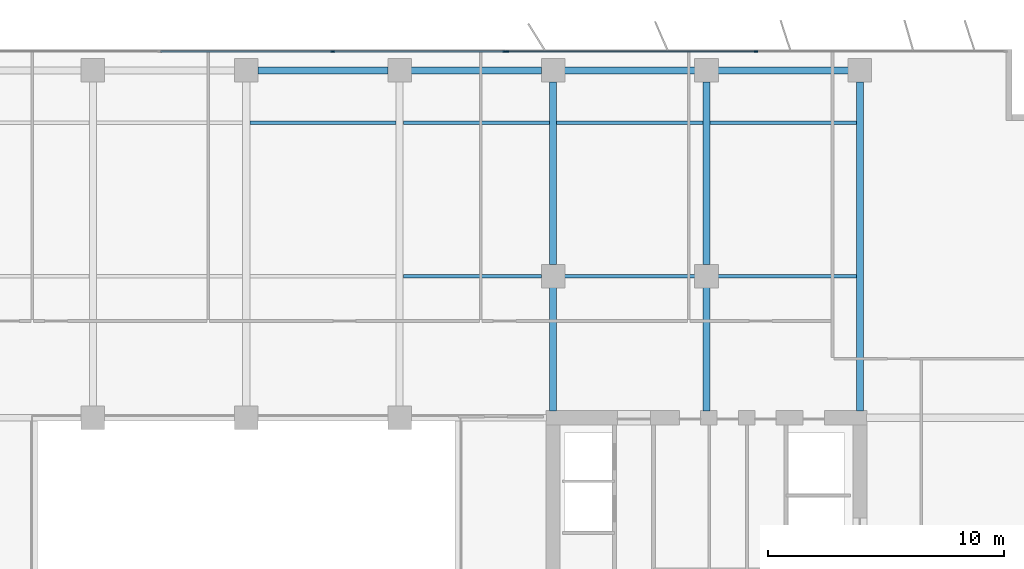
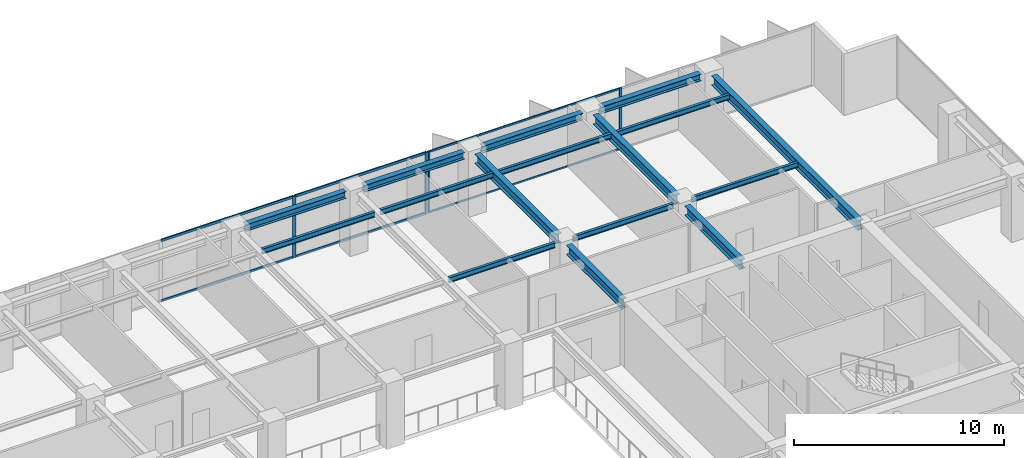
# One storey, part 10 of 22: 16 beams, 10 members, 2 elements without a shape of their own.
"""IFC4 building model written with IfcOpenShell, lengths in metres."""

from ifc_helpers import new_model, si_unit, direction, frame, origin, origin_2d, place, context, subcontext, project, spatial, rectangle, i_section, extrude, material, layer, layer_set, material_profile, profile_set, type_object, element, aggregate, save


model = new_model("IFC4")

# Units and contexts
model_context = context("Model", 3, precision=1e-05, world=origin(), true_north=direction((0.0, 1.0)))
body_context = subcontext(model_context, "Body", "Model", "MODEL_VIEW")
ifc_project = project(units=[si_unit("LENGTHUNIT", "METRE"), si_unit("AREAUNIT", "SQUARE_METRE"), si_unit("VOLUMEUNIT", "CUBIC_METRE"), si_unit("PLANEANGLEUNIT", "RADIAN"), si_unit("MASSUNIT", "GRAM", prefix="KILO")], contexts=[model_context])

# Site, building, storey
site_placement = place(None, origin())
site = spatial("IfcSite", under=ifc_project, at=site_placement, CompositionType="ELEMENT")
building_placement = place(site_placement, origin())
building = spatial("IfcBuilding", under=site, at=building_placement, Name="Putna Gate Headquarters", CompositionType="ELEMENT")
storey_placement = place(building_placement, frame((0.0, 0.0, 182.199951171875)))
storey = spatial("IfcBuildingStorey", under=building, at=storey_placement, Name="L45", CompositionType="ELEMENT", Elevation=182.199951171875)

# Beams
ifc_material_1 = material(Name="Steel S355J2", Category="steel")
ifc_material_profile_1 = material_profile(ifc_material_1, i_section(OverallWidth=0.300048828125, OverallDepth=0.550048828125, WebThickness=0.014892578125, FlangeThickness=0.029052734375, at=origin_2d()), Name="Steel S355J2")
ifc_profile_set_1 = profile_set([ifc_material_profile_1], Name="Steel S355J2")
beam_type_1 = type_object("IfcBeamType", Name="BM-GIRD-Z3-HEB550", PredefinedType="USERDEFINED", material=ifc_profile_set_1)
beam_1_placement = place(storey_placement, frame((52.0, 33.284912109375, 3.297119140625), z_axis=(0.0, 1.0, 0.0), x_axis=(-1.0, 0.0, 0.0)))
element("IfcBeam", 1, at=beam_1_placement, inside=storey, type_object=beam_type_1, Name="L45 North Primary Girder X52-1", ObjectType="GIRDER", PredefinedType="USERDEFINED", context=body_context, shape_type="SweptSolid", body=[
    extrude(i_section(OverallWidth=0.300048828125, OverallDepth=0.550048828125, WebThickness=0.014892578125, FlangeThickness=0.029052734375, at=origin_2d()), origin(), (0.0, 0.0, 1.0), 5.22705078125),
])
beam_2_placement = place(storey_placement, frame((52.0, 39.488037109375, 3.297119140625), z_axis=(0.0, 1.0, 0.0), x_axis=(-1.0, 0.0, 0.0)))
element("IfcBeam", 2, at=beam_2_placement, inside=storey, type_object=beam_type_1, Name="L45 North Primary Girder X52-2", ObjectType="GIRDER", PredefinedType="USERDEFINED", context=body_context, shape_type="SweptSolid", body=[
    extrude(i_section(OverallWidth=0.300048828125, OverallDepth=0.550048828125, WebThickness=0.014892578125, FlangeThickness=0.029052734375, at=origin_2d()), origin(), (0.0, 0.0, 1.0), 7.743896484375),
])
beam_3_placement = place(storey_placement, frame((58.5, 33.284912109375, 3.297119140625), z_axis=(0.0, 1.0, 0.0), x_axis=(-1.0, 0.0, 0.0)))
element("IfcBeam", 3, at=beam_3_placement, inside=storey, type_object=beam_type_1, Name="L45 North Primary Girder X58-1", ObjectType="GIRDER", PredefinedType="USERDEFINED", context=body_context, shape_type="SweptSolid", body=[
    extrude(i_section(OverallWidth=0.300048828125, OverallDepth=0.550048828125, WebThickness=0.014892578125, FlangeThickness=0.029052734375, at=origin_2d()), origin(), (0.0, 0.0, 1.0), 5.22705078125),
])
beam_4_placement = place(storey_placement, frame((58.5, 39.488037109375, 3.297119140625), z_axis=(0.0, 1.0, 0.0), x_axis=(-1.0, 0.0, 0.0)))
element("IfcBeam", 4, at=beam_4_placement, inside=storey, type_object=beam_type_1, Name="L45 North Primary Girder X58-2", ObjectType="GIRDER", PredefinedType="USERDEFINED", context=body_context, shape_type="SweptSolid", body=[
    extrude(i_section(OverallWidth=0.300048828125, OverallDepth=0.550048828125, WebThickness=0.014892578125, FlangeThickness=0.029052734375, at=origin_2d()), origin(), (0.0, 0.0, 1.0), 7.743896484375),
])
beam_5_placement = place(storey_placement, frame((65.0, 33.284912109375, 3.297119140625), z_axis=(0.0, 1.0, 0.0), x_axis=(-1.0, 0.0, 0.0)))
element("IfcBeam", 5, at=beam_5_placement, inside=storey, type_object=beam_type_1, Name="L45 North Primary Girder X65", ObjectType="GIRDER", PredefinedType="USERDEFINED", context=body_context, shape_type="SweptSolid", body=[
    extrude(i_section(OverallWidth=0.300048828125, OverallDepth=0.550048828125, WebThickness=0.014892578125, FlangeThickness=0.029052734375, at=origin_2d()), origin(), (0.0, 0.0, 1.0), 13.947021484375),
])
ifc_material_profile_2 = material_profile(ifc_material_1, i_section(OverallWidth=0.14990234375, OverallDepth=0.300048828125, WebThickness=0.007080078125, FlangeThickness=0.0107421875, at=origin_2d()), Name="Steel S355J2")
ifc_profile_set_2 = profile_set([ifc_material_profile_2], Name="Steel S355J2")
beam_type_2 = type_object("IfcBeamType", Name="BM-SEC-Z3-IPE300", PredefinedType="JOIST", material=ifc_profile_set_2)
beam_6_placement = place(storey_placement, frame((39.154052734375, 45.5, 3.422119140625), z_axis=(1.0, 0.0, 0.0), x_axis=(0.0, 1.0, 0.0)))
element("IfcBeam", 6, at=beam_6_placement, inside=storey, type_object=beam_type_2, Name="L45 North Secondary Beam 5", PredefinedType="JOIST", context=body_context, shape_type="SweptSolid", body=[
    extrude(i_section(OverallWidth=0.14990234375, OverallDepth=0.300048828125, WebThickness=0.007080078125, FlangeThickness=0.0107421875, at=origin_2d()), origin(), (0.0, 0.0, 1.0), 6.19189453125),
])
beam_7_placement = place(storey_placement, frame((45.654052734375, 39.0, 3.422119140625), z_axis=(1.0, 0.0, 0.0), x_axis=(0.0, 1.0, 0.0)))
element("IfcBeam", 7, at=beam_7_placement, inside=storey, type_object=beam_type_2, Name="L45 North Secondary Beam 6", PredefinedType="JOIST", context=body_context, shape_type="SweptSolid", body=[
    extrude(i_section(OverallWidth=0.14990234375, OverallDepth=0.300048828125, WebThickness=0.007080078125, FlangeThickness=0.0107421875, at=origin_2d()), origin(), (0.0, 0.0, 1.0), 5.85791015625),
])
beam_8_placement = place(storey_placement, frame((45.654052734375, 45.5, 3.422119140625), z_axis=(1.0, 0.0, 0.0), x_axis=(0.0, 1.0, 0.0)))
element("IfcBeam", 8, at=beam_8_placement, inside=storey, type_object=beam_type_2, Name="L45 North Secondary Beam 6", PredefinedType="JOIST", context=body_context, shape_type="SweptSolid", body=[
    extrude(i_section(OverallWidth=0.14990234375, OverallDepth=0.300048828125, WebThickness=0.007080078125, FlangeThickness=0.0107421875, at=origin_2d()), origin(), (0.0, 0.0, 1.0), 6.19189453125),
])
beam_9_placement = place(storey_placement, frame((52.488037109375, 39.0, 3.422119140625), z_axis=(1.0, 0.0, 0.0), x_axis=(0.0, 1.0, 0.0)))
element("IfcBeam", 9, at=beam_9_placement, inside=storey, type_object=beam_type_2, Name="L45 North Secondary Beam 7", PredefinedType="JOIST", context=body_context, shape_type="SweptSolid", body=[
    extrude(i_section(OverallWidth=0.14990234375, OverallDepth=0.300048828125, WebThickness=0.007080078125, FlangeThickness=0.0107421875, at=origin_2d()), origin(), (0.0, 0.0, 1.0), 5.52392578125),
])
beam_10_placement = place(storey_placement, frame((52.154052734375, 45.5, 3.422119140625), z_axis=(1.0, 0.0, 0.0), x_axis=(0.0, 1.0, 0.0)))
element("IfcBeam", 10, at=beam_10_placement, inside=storey, type_object=beam_type_2, Name="L45 North Secondary Beam 7", PredefinedType="JOIST", context=body_context, shape_type="SweptSolid", body=[
    extrude(i_section(OverallWidth=0.14990234375, OverallDepth=0.300048828125, WebThickness=0.007080078125, FlangeThickness=0.0107421875, at=origin_2d()), origin(), (0.0, 0.0, 1.0), 6.19189453125),
])
beam_11_placement = place(storey_placement, frame((58.988037109375, 39.0, 3.422119140625), z_axis=(1.0, 0.0, 0.0), x_axis=(0.0, 1.0, 0.0)))
element("IfcBeam", 11, at=beam_11_placement, inside=storey, type_object=beam_type_2, Name="L45 North Secondary Beam 8", PredefinedType="JOIST", context=body_context, shape_type="SweptSolid", body=[
    extrude(i_section(OverallWidth=0.14990234375, OverallDepth=0.300048828125, WebThickness=0.007080078125, FlangeThickness=0.0107421875, at=origin_2d()), origin(), (0.0, 0.0, 1.0), 5.85791015625),
])
beam_12_placement = place(storey_placement, frame((58.654052734375, 45.5, 3.422119140625), z_axis=(1.0, 0.0, 0.0), x_axis=(0.0, 1.0, 0.0)))
element("IfcBeam", 12, at=beam_12_placement, inside=storey, type_object=beam_type_2, Name="L45 North Secondary Beam 8", PredefinedType="JOIST", context=body_context, shape_type="SweptSolid", body=[
    extrude(i_section(OverallWidth=0.14990234375, OverallDepth=0.300048828125, WebThickness=0.007080078125, FlangeThickness=0.0107421875, at=origin_2d()), origin(), (0.0, 0.0, 1.0), 6.19189453125),
])
ifc_material_profile_3 = material_profile(ifc_material_1, i_section(OverallWidth=0.300048828125, OverallDepth=0.39990234375, WebThickness=0.013427734375, FlangeThickness=0.02392578125, at=origin_2d()), Name="Steel S355J2")
ifc_profile_set_3 = profile_set([ifc_material_profile_3], Name="Steel S355J2")
beam_type_3 = type_object("IfcBeamType", Name="BM-SPAN-Z3-HEB400", PredefinedType="SPANDREL", material=ifc_profile_set_3)
for number, where, z_axis, x_axis, name in (
    (13, (39.488037109375, 47.719970703125, 3.3720703125), (1.0, 0.0, 0.0), (0.0, 1.0, 0.0), "L45 N Perimeter Spandrel 5"),
    (14, (45.988037109375, 47.719970703125, 3.3720703125), (1.0, 0.0, 0.0), (0.0, 1.0, 0.0), "L45 N Perimeter Spandrel 6"),
    (15, (52.488037109375, 47.719970703125, 3.3720703125), (1.0, 0.0, 0.0), (0.0, 1.0, 0.0), "L45 N Perimeter Spandrel 7"),
    (16, (58.988037109375, 47.719970703125, 3.3720703125), (1.0, 0.0, 0.0), (0.0, 1.0, 0.0), "L45 N Perimeter Spandrel 8"),
):
    element("IfcBeam", number, at=place(storey_placement, frame(where, z_axis=z_axis, x_axis=x_axis)), inside=storey, type_object=beam_type_3, Name=name, PredefinedType="SPANDREL", context=body_context, shape_type="SweptSolid", body=[
        extrude(i_section(OverallWidth=0.300048828125, OverallDepth=0.39990234375, WebThickness=0.013427734375, FlangeThickness=0.02392578125, at=origin_2d()), origin(), (0.0, 0.0, 1.0), 5.52392578125),
    ])

# Curtain wall, members
ifc_material_2 = material(Name="Anodised bronze aluminium curtain wall", Category="aluminium")
ifc_layer_1 = layer(ifc_material_2, 0.159912109375)
ifc_layer_set_1 = layer_set([ifc_layer_1], Name="Anodised bronze aluminium curtain wall")
curtain_wall_type_1 = type_object("IfcCurtainWallType", Name="CW-SYS-Z3", PredefinedType="USERDEFINED", material=ifc_layer_set_1)
curtain_wall_1_placement = place(storey_placement, origin())
curtain_wall_1 = element("IfcCurtainWall", 17, at=curtain_wall_1_placement, inside=storey, type_object=curtain_wall_type_1, Name="L45 North East Curtain Wall", ObjectType="STICK CURTAIN WALL", PredefinedType="USERDEFINED")
ifc_material_3 = material(Name="Anodised bronze aluminium EN AW-6060", Category="aluminium")
ifc_material_profile_4 = material_profile(ifc_material_3, rectangle(XDim=0.06494140625, YDim=0.159912109375, at=origin_2d()), Name="Anodised bronze aluminium EN AW-6060")
ifc_profile_set_4 = profile_set([ifc_material_profile_4], Name="Anodised bronze aluminium EN AW-6060")
member_type_1 = type_object("IfcMemberType", Name="MULL-CWM-3", PredefinedType="MULLION", material=ifc_profile_set_4)
member_1_placement = place(storey_placement, frame((50.032470703125, 48.52001953125, 0.0), z_axis=(0.0, 0.0, 1.0), x_axis=(0.0, 1.0, 0.0)))
member_1 = element("IfcMember", 18, at=member_1_placement, type_object=member_type_1, Name="CWS-3 mullion 1", PredefinedType="MULLION", context=body_context, shape_type="SweptSolid", body=[
    extrude(rectangle(XDim=0.06494140625, YDim=0.159912109375, at=origin_2d()), origin(), (0.0, 0.0, 1.0), 3.572021484375),
])
member_2_placement = place(storey_placement, frame((60.60009765625, 48.52001953125, 0.0), z_axis=(0.0, 0.0, 1.0), x_axis=(0.0, 1.0, 0.0)))
member_2 = element("IfcMember", 19, at=member_2_placement, type_object=member_type_1, Name="CWS-3 mullion 2", PredefinedType="MULLION", context=body_context, shape_type="SweptSolid", body=[
    extrude(rectangle(XDim=0.06494140625, YDim=0.159912109375, at=origin_2d()), origin(), (0.0, 0.0, 1.0), 3.572021484375),
])

ifc_layer_2 = layer(ifc_material_2, 0.179931640625)
ifc_layer_set_2 = layer_set([ifc_layer_2], Name="Anodised bronze aluminium curtain wall")
curtain_wall_type_2 = type_object("IfcCurtainWallType", Name="CW-SYS-ATR", PredefinedType="USERDEFINED", material=ifc_layer_set_2)
curtain_wall_2_placement = place(storey_placement, origin())
curtain_wall_2 = element("IfcCurtainWall", 20, at=curtain_wall_2_placement, inside=storey, type_object=curtain_wall_type_2, Name="L45 North Atrium Clear Glazing", ObjectType="ATRIUM GLAZING", PredefinedType="USERDEFINED")
ifc_material_profile_5 = material_profile(ifc_material_3, rectangle(XDim=0.070068359375, YDim=0.179931640625, at=origin_2d()), Name="Anodised bronze aluminium EN AW-6060")
ifc_profile_set_5 = profile_set([ifc_material_profile_5], Name="Anodised bronze aluminium EN AW-6060")
member_type_2 = type_object("IfcMemberType", Name="MULL-CWM-AT", PredefinedType="MULLION", material=ifc_profile_set_5)
member_3_placement = place(storey_placement, frame((42.666748046875, 48.52001953125, 0.0), z_axis=(0.0, 0.0, 1.0), x_axis=(0.0, 1.0, 0.0)))
member_3 = element("IfcMember", 21, at=member_3_placement, type_object=member_type_2, Name="CWS-AT mullion 3", PredefinedType="MULLION", context=body_context, shape_type="SweptSolid", body=[
    extrude(rectangle(XDim=0.070068359375, YDim=0.179931640625, at=origin_2d()), origin(), (0.0, 0.0, 1.0), 3.572021484375),
])
member_4_placement = place(storey_placement, frame((49.965087890625, 48.52001953125, 0.0), z_axis=(0.0, 0.0, 1.0), x_axis=(0.0, 1.0, 0.0)))
member_4 = element("IfcMember", 22, at=member_4_placement, type_object=member_type_2, Name="CWS-AT mullion 4", PredefinedType="MULLION", context=body_context, shape_type="SweptSolid", body=[
    extrude(rectangle(XDim=0.070068359375, YDim=0.179931640625, at=origin_2d()), origin(), (0.0, 0.0, 1.0), 3.572021484375),
])

# Member
ifc_material_profile_6 = material_profile(ifc_material_3, rectangle(XDim=0.06005859375, YDim=0.10009765625, at=origin_2d()), Name="Anodised bronze aluminium EN AW-6060")
ifc_profile_set_6 = profile_set([ifc_material_profile_6], Name="Anodised bronze aluminium EN AW-6060")
member_type_3 = type_object("IfcMemberType", Name="TRAN-CWT-3", PredefinedType="USERDEFINED", material=ifc_profile_set_6)
member_5_placement = place(storey_placement, frame((50.06494140625, 48.52001953125, 0.030029296875), z_axis=(1.0, 0.0, 0.0), x_axis=(0.0, 1.0, 0.0)))
member_5 = element("IfcMember", 23, at=member_5_placement, type_object=member_type_3, Name="CWS-3 transom 1.1", ObjectType="TRANSOM", PredefinedType="USERDEFINED", context=body_context, shape_type="SweptSolid", body=[
    extrude(rectangle(XDim=0.06005859375, YDim=0.10009765625, at=origin_2d()), origin(), (0.0, 0.0, 1.0), 10.50244140625),
])

member_6_placement = place(storey_placement, frame((50.06494140625, 48.52001953125, 3.5419921875), z_axis=(1.0, 0.0, 0.0), x_axis=(0.0, 1.0, 0.0)))
member_6 = element("IfcMember", 24, at=member_6_placement, type_object=member_type_3, Name="CWS-3 transom 1.2", ObjectType="TRANSOM", PredefinedType="USERDEFINED", context=body_context, shape_type="SweptSolid", body=[
    extrude(rectangle(XDim=0.06005859375, YDim=0.10009765625, at=origin_2d()), origin(), (0.0, 0.0, 1.0), 10.50244140625),
])

aggregate(curtain_wall_1, [member_1, member_2, member_5, member_6])

ifc_material_profile_7 = material_profile(ifc_material_3, rectangle(XDim=0.070068359375, YDim=0.139892578125, at=origin_2d()), Name="Anodised bronze aluminium EN AW-6060")
ifc_profile_set_7 = profile_set([ifc_material_profile_7], Name="Anodised bronze aluminium EN AW-6060")
member_type_4 = type_object("IfcMemberType", Name="TRAN-CWT-AT", PredefinedType="USERDEFINED", material=ifc_profile_set_7)
member_7_placement = place(storey_placement, frame((35.368408203125, 48.52001953125, 0.03515625), z_axis=(1.0, 0.0, 0.0), x_axis=(0.0, 1.0, 0.0)))
member_7 = element("IfcMember", 25, at=member_7_placement, type_object=member_type_4, Name="CWS-AT transom 2.1", ObjectType="TRANSOM", PredefinedType="USERDEFINED", context=body_context, shape_type="SweptSolid", body=[
    extrude(rectangle(XDim=0.070068359375, YDim=0.139892578125, at=origin_2d()), origin(), (0.0, 0.0, 1.0), 7.26318359375),
])

member_8_placement = place(storey_placement, frame((35.368408203125, 48.52001953125, 3.537109375), z_axis=(1.0, 0.0, 0.0), x_axis=(0.0, 1.0, 0.0)))
member_8 = element("IfcMember", 26, at=member_8_placement, type_object=member_type_4, Name="CWS-AT transom 2.2", ObjectType="TRANSOM", PredefinedType="USERDEFINED", context=body_context, shape_type="SweptSolid", body=[
    extrude(rectangle(XDim=0.070068359375, YDim=0.139892578125, at=origin_2d()), origin(), (0.0, 0.0, 1.0), 7.26318359375),
])

member_9_placement = place(storey_placement, frame((42.70166015625, 48.52001953125, 0.03515625), z_axis=(1.0, 0.0, 0.0), x_axis=(0.0, 1.0, 0.0)))
member_9 = element("IfcMember", 27, at=member_9_placement, type_object=member_type_4, Name="CWS-AT transom 3.1", ObjectType="TRANSOM", PredefinedType="USERDEFINED", context=body_context, shape_type="SweptSolid", body=[
    extrude(rectangle(XDim=0.070068359375, YDim=0.139892578125, at=origin_2d()), origin(), (0.0, 0.0, 1.0), 7.228271484375),
])

member_10_placement = place(storey_placement, frame((42.70166015625, 48.52001953125, 3.537109375), z_axis=(1.0, 0.0, 0.0), x_axis=(0.0, 1.0, 0.0)))
member_10 = element("IfcMember", 28, at=member_10_placement, type_object=member_type_4, Name="CWS-AT transom 3.2", ObjectType="TRANSOM", PredefinedType="USERDEFINED", context=body_context, shape_type="SweptSolid", body=[
    extrude(rectangle(XDim=0.070068359375, YDim=0.139892578125, at=origin_2d()), origin(), (0.0, 0.0, 1.0), 7.228271484375),
])

aggregate(curtain_wall_2, [member_3, member_4, member_7, member_8, member_9, member_10])

save(model, "model.ifc")
